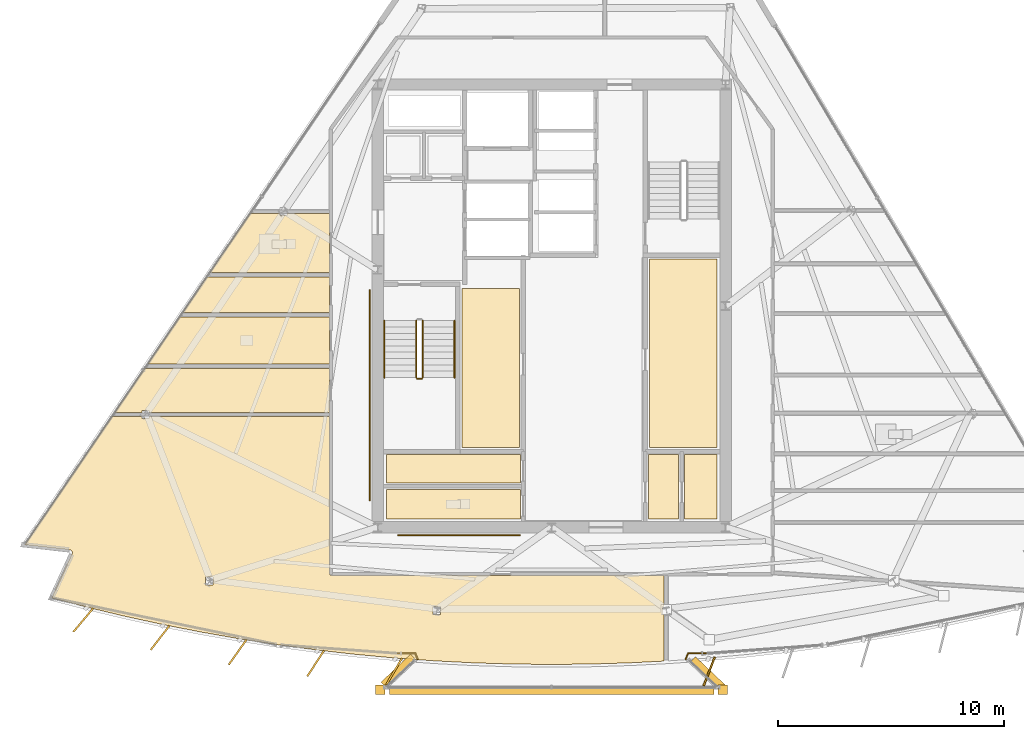
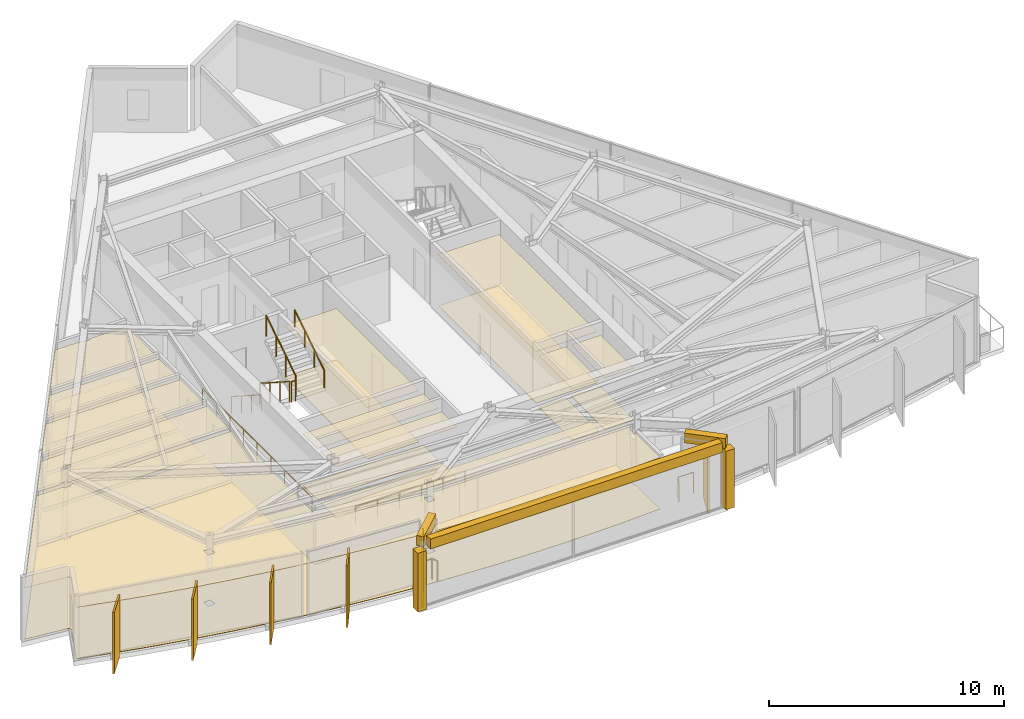
# One storey, part 10 of 13: 27 coverings, 9 railings, 6 shading devices.
"""IFC4 building model written with IfcOpenShell, lengths in metres."""

from ifc_helpers import new_model, si_unit, direction, frame, origin, origin_2d, place, context, subcontext, project, spatial, polyline, rectangle, circle, outline, extrude, material, layer, layer_set, type_object, element, save


model = new_model("IFC4")

# Units and contexts
model_context = context("Model", 3, precision=1e-05, world=origin(), true_north=direction((0.0, 1.0)))
body_context = subcontext(model_context, "Body", "Model", "MODEL_VIEW")
ifc_project = project(units=[si_unit("LENGTHUNIT", "METRE"), si_unit("AREAUNIT", "SQUARE_METRE"), si_unit("VOLUMEUNIT", "CUBIC_METRE"), si_unit("PLANEANGLEUNIT", "RADIAN"), si_unit("MASSUNIT", "GRAM", prefix="KILO")], contexts=[model_context])

# Site, building, storey
site_placement = place(None, origin())
site = spatial("IfcSite", under=ifc_project, at=site_placement, CompositionType="ELEMENT")
building_placement = place(site_placement, origin())
building = spatial("IfcBuilding", under=site, at=building_placement, Name="Savorim Split Tower", CompositionType="ELEMENT")
storey_placement = place(building_placement, frame((0.0, 0.0, 286.800048828125)))
storey = spatial("IfcBuildingStorey", under=building, at=storey_placement, Name="L76", CompositionType="ELEMENT", Elevation=286.800048828125)

# Coverings
ifc_material_1 = material(Name="Mineral Fibre Acoustic Ceiling")
ifc_layer_1 = layer(ifc_material_1, 0.02490234375)
ifc_layer_set_1 = layer_set([ifc_layer_1], Name="COV-CEIL-25")
covering_type_1 = type_object("IfcCoveringType", Name="COV-CEIL-25", PredefinedType="CEILING", material=ifc_layer_set_1)
covering_1_placement = place(storey_placement, frame((0.0, 0.0, 2.669921875)))
element("IfcCovering", 1, at=covering_1_placement, inside=storey, type_object=covering_type_1, Name="L76 Shared Pantry and Linen Room Acoustic Ceiling", PredefinedType="CEILING", context=body_context, shape_type="SweptSolid", body=[
    extrude(outline(polyline([(4.330078125, 2.469970703125), (4.330078125, -5.8701171875), (7.320068359375, -5.8701171875), (7.320068359375, 2.469970703125), (4.330078125, 2.469970703125)])), origin(), (0.0, 0.0, 1.0), 0.025146484375),
])
covering_2_placement = place(storey_placement, frame((0.0, 0.0, 2.669921875)))
element("IfcCovering", 2, at=covering_2_placement, inside=storey, type_object=covering_type_1, Name="L76 Housekeeping and Parcel Room Acoustic Ceiling", PredefinedType="CEILING", context=body_context, shape_type="SweptSolid", body=[
    extrude(outline(polyline([(-3.969970703125, 1.169921875), (-3.969970703125, -5.8701171875), (-1.429931640625, -5.8701171875), (-1.429931640625, 1.169921875), (-3.969970703125, 1.169921875)])), origin(), (0.0, 0.0, 1.0), 0.025146484375),
])
covering_3_placement = place(storey_placement, frame((0.0, 0.0, 2.669921875)))
element("IfcCovering", 3, at=covering_3_placement, inside=storey, type_object=covering_type_1, Name="L76 Cleaning Store Acoustic Ceiling", PredefinedType="CEILING", context=body_context, shape_type="SweptSolid", body=[
    extrude(outline(polyline([(-7.320068359375, -6.179931640625), (-7.320068359375, -7.43994140625), (-1.3798828125, -7.43994140625), (-1.3798828125, -6.179931640625), (-7.320068359375, -6.179931640625)])), origin(), (0.0, 0.0, 1.0), 0.025146484375),
])
covering_4_placement = place(storey_placement, frame((0.0, 0.0, 2.669921875)))
element("IfcCovering", 4, at=covering_4_placement, inside=storey, type_object=covering_type_1, Name="L76 Public WC Acoustic Ceiling", PredefinedType="CEILING", context=body_context, shape_type="SweptSolid", body=[
    extrude(outline(polyline([(-7.320068359375, -7.719970703125), (-7.320068359375, -9.02001953125), (-1.3798828125, -9.02001953125), (-1.3798828125, -7.719970703125), (-7.320068359375, -7.719970703125)])), origin(), (0.0, 0.0, 1.0), 0.025146484375),
])
covering_5_placement = place(storey_placement, frame((0.0, 0.0, 2.669921875)))
element("IfcCovering", 5, at=covering_5_placement, inside=storey, type_object=covering_type_1, Name="L76 Vending Pantry Acoustic Ceiling", PredefinedType="CEILING", context=body_context, shape_type="SweptSolid", body=[
    extrude(outline(polyline([(4.280029296875, -6.179931640625), (4.280029296875, -9.02001953125), (5.6201171875, -9.02001953125), (5.6201171875, -6.179931640625), (4.280029296875, -6.179931640625)])), origin(), (0.0, 0.0, 1.0), 0.025146484375),
])
covering_6_placement = place(storey_placement, frame((0.0, 0.0, 2.669921875)))
element("IfcCovering", 6, at=covering_6_placement, inside=storey, type_object=covering_type_1, Name="L76 Recycling Chute Room Acoustic Ceiling", PredefinedType="CEILING", context=body_context, shape_type="SweptSolid", body=[
    extrude(outline(polyline([(5.8798828125, -6.179931640625), (5.8798828125, -9.02001953125), (7.320068359375, -9.02001953125), (7.320068359375, -6.179931640625), (5.8798828125, -6.179931640625)])), origin(), (0.0, 0.0, 1.0), 0.025146484375),
])
covering_7_placement = place(storey_placement, frame((0.0, 0.0, 2.669921875)))
element("IfcCovering", 7, at=covering_7_placement, inside=storey, type_object=covering_type_1, Name="L76 Shared Kitchen Acoustic Ceiling", PredefinedType="CEILING", context=body_context, shape_type="SweptSolid", body=[
    extrude(outline(polyline([(-16.455810546875, -0.0830078125), (-17.878662109375, -2.1748046875), (-9.840087890625, -2.1748046875), (-9.840087890625, -0.0830078125), (-16.455810546875, -0.0830078125)])), origin(), (0.0, 0.0, 1.0), 0.025146484375),
])
covering_8_placement = place(storey_placement, frame((0.0, 0.0, 2.669921875)))
element("IfcCovering", 8, at=covering_8_placement, inside=storey, type_object=covering_type_1, Name="L76 Maker Workshop Acoustic Ceiling", PredefinedType="CEILING", context=body_context, shape_type="SweptSolid", body=[
    extrude(outline(polyline([(-17.811767578125, -4.230224609375), (-17.811767578125, -4.310302734375), (-9.840087890625, -4.310302734375), (-9.840087890625, -2.36474609375), (-18.0078125, -2.36474609375), (-19.331298828125, -4.310302734375), (-18.140625, -4.310302734375), (-18.140625, -4.230224609375), (-17.811767578125, -4.230224609375)])), origin(), (0.0, 0.0, 1.0), 0.025146484375),
])
covering_9_placement = place(storey_placement, frame((0.0, 0.0, 2.669921875)))
element("IfcCovering", 9, at=covering_9_placement, inside=storey, type_object=covering_type_1, Name="L76 Maker Workshop Acoustic Ceiling", PredefinedType="CEILING", context=body_context, shape_type="SweptSolid", body=[
    extrude(outline(polyline([(-21.21337890625, -10.5068359375), (-21.21337890625, -10.518798828125), (-21.214111328125, -10.530517578125), (-21.21630859375, -10.54248046875), (-21.2197265625, -10.5537109375), (-21.22412109375, -10.56494140625), (-22.125244140625, -12.526123046875), (-20.5859375, -12.9287109375), (-18.90087890625, -13.332763671875), (-17.2080078125, -13.7021484375), (-15.5078125, -14.036865234375), (-13.801025390625, -14.3369140625), (-12.088623046875, -14.601806640625), (-10.37109375, -14.83154296875), (-8.649169921875, -15.026123046875), (-6.923583984375, -15.185546875), (-5.1953125, -15.3095703125), (-3.46484375, -15.398193359375), (-1.732666015625, -15.451171875), (0.0, -15.468994140625), (1.732666015625, -15.451171875), (3.46484375, -15.398193359375), (4.98193359375, -15.3203125), (4.98193359375, -13.25), (4.91259765625, -13.25), (4.91259765625, -12.900146484375), (4.98193359375, -12.900146484375), (4.98193359375, -11.5400390625), (-9.699951171875, -11.5400390625), (-9.713623046875, -11.539306640625), (-9.727294921875, -11.537353515625), (-9.740478515625, -11.533935546875), (-9.753662109375, -11.529296875), (-9.76611328125, -11.5234375), (-9.77783203125, -11.516357421875), (-9.788818359375, -11.50830078125), (-9.799072265625, -11.4990234375), (-9.80810546875, -11.48876953125), (-9.81640625, -11.477783203125), (-9.823486328125, -11.466064453125), (-9.829345703125, -11.45361328125), (-9.833984375, -11.440673828125), (-9.83740234375, -11.42724609375), (-9.83935546875, -11.413818359375), (-9.840087890625, -11.39990234375), (-9.840087890625, -4.500244140625), (-17.811767578125, -4.500244140625), (-17.811767578125, -4.580078125), (-18.140625, -4.580078125), (-18.140625, -4.500244140625), (-19.335693359375, -4.500244140625), (-19.4306640625, -4.500244140625), (-19.4306640625, -4.4560546875), (-23.3193359375, -10.172119140625), (-21.31982421875, -10.3955078125), (-21.30810546875, -10.3974609375), (-21.296630859375, -10.400390625), (-21.285400390625, -10.40478515625), (-21.274658203125, -10.409912109375), (-21.2646484375, -10.41650390625), (-21.255126953125, -10.423583984375), (-21.24658203125, -10.431884765625), (-21.23876953125, -10.44091796875), (-21.231689453125, -10.45068359375), (-21.225830078125, -10.4609375), (-21.22119140625, -10.471923828125), (-21.21728515625, -10.4833984375), (-21.21484375, -10.494873046875), (-21.21337890625, -10.5068359375)]), holes=[polyline([(-15.312744140625, -11.95703125), (-14.983642578125, -11.95703125), (-14.983642578125, -11.60693359375), (-15.312744140625, -11.60693359375), (-15.312744140625, -11.95703125)]), polyline([(-5.241455078125, -13.25), (-4.91259765625, -13.25), (-4.91259765625, -12.900146484375), (-5.241455078125, -12.900146484375), (-5.241455078125, -13.25)])]), origin(), (0.0, 0.0, 1.0), 0.025146484375),
])
covering_10_placement = place(storey_placement, frame((0.0, 0.0, 2.669921875)))
element("IfcCovering", 10, at=covering_10_placement, inside=storey, type_object=covering_type_1, Name="L76 Shared Bathroom Acoustic Ceiling", PredefinedType="CEILING", context=body_context, shape_type="SweptSolid", body=[
    extrude(outline(polyline([(-12.031494140625, 4.48046875), (-13.226318359375, 4.48046875), (-13.3212890625, 4.48046875), (-13.3212890625, 4.524658203125), (-15.1240234375, 1.87451171875), (-9.840087890625, 1.87451171875), (-9.840087890625, 4.48046875), (-11.702392578125, 4.48046875), (-11.702392578125, 4.400390625), (-12.031494140625, 4.400390625), (-12.031494140625, 4.48046875)])), origin(), (0.0, 0.0, 1.0), 0.025146484375),
])
covering_11_placement = place(storey_placement, frame((0.0, 0.0, 2.669921875)))
element("IfcCovering", 11, at=covering_11_placement, inside=storey, type_object=covering_type_1, Name="L76 Co-Living Bedroom Acoustic Ceiling", PredefinedType="CEILING", context=body_context, shape_type="SweptSolid", body=[
    extrude(outline(polyline([(-15.25341796875, 1.6845703125), (-16.326416015625, 0.10693359375), (-9.840087890625, 0.10693359375), (-9.840087890625, 1.6845703125), (-15.25341796875, 1.6845703125)])), origin(), (0.0, 0.0, 1.0), 0.025146484375),
])
ifc_material_2 = material(Name="Porcelain Stoneware Flooring", Category="masonry")
ifc_layer_2 = layer(ifc_material_2, 0.02001953125)
ifc_layer_set_2 = layer_set([ifc_layer_2], Name="COV-FLOR-20")
covering_type_2 = type_object("IfcCoveringType", Name="COV-FLOR-20", PredefinedType="FLOORING", material=ifc_layer_set_2)
covering_12_placement = place(storey_placement, origin())
element("IfcCovering", 12, at=covering_12_placement, inside=storey, type_object=covering_type_2, Name="L76 Shared Pantry and Linen Room Porcelain Flooring", PredefinedType="FLOORING", context=body_context, shape_type="SweptSolid", body=[
    extrude(outline(polyline([(4.330078125, 2.469970703125), (4.330078125, -5.8701171875), (7.320068359375, -5.8701171875), (7.320068359375, 2.469970703125), (4.330078125, 2.469970703125)])), origin(), (0.0, 0.0, 1.0), 0.02001953125),
])
covering_13_placement = place(storey_placement, origin())
element("IfcCovering", 13, at=covering_13_placement, inside=storey, type_object=covering_type_2, Name="L76 Housekeeping and Parcel Room Porcelain Flooring", PredefinedType="FLOORING", context=body_context, shape_type="SweptSolid", body=[
    extrude(outline(polyline([(-3.969970703125, 1.169921875), (-3.969970703125, -5.8701171875), (-1.429931640625, -5.8701171875), (-1.429931640625, 1.169921875), (-3.969970703125, 1.169921875)])), origin(), (0.0, 0.0, 1.0), 0.02001953125),
])
covering_14_placement = place(storey_placement, origin())
element("IfcCovering", 14, at=covering_14_placement, inside=storey, type_object=covering_type_2, Name="L76 Cleaning Store Porcelain Flooring", PredefinedType="FLOORING", context=body_context, shape_type="SweptSolid", body=[
    extrude(outline(polyline([(-7.320068359375, -6.179931640625), (-7.320068359375, -7.43994140625), (-1.3798828125, -7.43994140625), (-1.3798828125, -6.179931640625), (-7.320068359375, -6.179931640625)])), origin(), (0.0, 0.0, 1.0), 0.02001953125),
])
covering_15_placement = place(storey_placement, origin())
element("IfcCovering", 15, at=covering_15_placement, inside=storey, type_object=covering_type_2, Name="L76 Public WC Porcelain Flooring", PredefinedType="FLOORING", context=body_context, shape_type="SweptSolid", body=[
    extrude(outline(polyline([(-7.320068359375, -7.719970703125), (-7.320068359375, -9.02001953125), (-1.3798828125, -9.02001953125), (-1.3798828125, -7.719970703125), (-7.320068359375, -7.719970703125)])), origin(), (0.0, 0.0, 1.0), 0.02001953125),
])
covering_16_placement = place(storey_placement, origin())
element("IfcCovering", 16, at=covering_16_placement, inside=storey, type_object=covering_type_2, Name="L76 Vending Pantry Porcelain Flooring", PredefinedType="FLOORING", context=body_context, shape_type="SweptSolid", body=[
    extrude(outline(polyline([(4.280029296875, -6.179931640625), (4.280029296875, -9.02001953125), (5.6201171875, -9.02001953125), (5.6201171875, -6.179931640625), (4.280029296875, -6.179931640625)])), origin(), (0.0, 0.0, 1.0), 0.02001953125),
])
covering_17_placement = place(storey_placement, origin())
element("IfcCovering", 17, at=covering_17_placement, inside=storey, type_object=covering_type_2, Name="L76 Recycling Chute Room Porcelain Flooring", PredefinedType="FLOORING", context=body_context, shape_type="SweptSolid", body=[
    extrude(outline(polyline([(5.8798828125, -6.179931640625), (5.8798828125, -9.02001953125), (7.320068359375, -9.02001953125), (7.320068359375, -6.179931640625), (5.8798828125, -6.179931640625)])), origin(), (0.0, 0.0, 1.0), 0.02001953125),
])
covering_18_placement = place(storey_placement, origin())
element("IfcCovering", 18, at=covering_18_placement, inside=storey, type_object=covering_type_2, Name="L76 Shared Kitchen Porcelain Flooring", PredefinedType="FLOORING", context=body_context, shape_type="SweptSolid", body=[
    extrude(outline(polyline([(-16.455810546875, -0.0830078125), (-17.878662109375, -2.1748046875), (-9.840087890625, -2.1748046875), (-9.840087890625, -0.0830078125), (-16.455810546875, -0.0830078125)])), origin(), (0.0, 0.0, 1.0), 0.02001953125),
])
covering_19_placement = place(storey_placement, origin())
element("IfcCovering", 19, at=covering_19_placement, inside=storey, type_object=covering_type_2, Name="L76 Maker Workshop Porcelain Flooring", PredefinedType="FLOORING", context=body_context, shape_type="SweptSolid", body=[
    extrude(outline(polyline([(-17.811767578125, -4.230224609375), (-17.811767578125, -4.310302734375), (-9.840087890625, -4.310302734375), (-9.840087890625, -2.36474609375), (-18.0078125, -2.36474609375), (-19.331298828125, -4.310302734375), (-18.140625, -4.310302734375), (-18.140625, -4.230224609375), (-17.811767578125, -4.230224609375)])), origin(), (0.0, 0.0, 1.0), 0.02001953125),
])
covering_20_placement = place(storey_placement, origin())
element("IfcCovering", 20, at=covering_20_placement, inside=storey, type_object=covering_type_2, Name="L76 Maker Workshop Porcelain Flooring", PredefinedType="FLOORING", context=body_context, shape_type="SweptSolid", body=[
    extrude(outline(polyline([(-21.21337890625, -10.5068359375), (-21.21337890625, -10.518798828125), (-21.214111328125, -10.530517578125), (-21.21630859375, -10.54248046875), (-21.2197265625, -10.5537109375), (-21.22412109375, -10.56494140625), (-22.125244140625, -12.526123046875), (-20.5859375, -12.9287109375), (-18.90087890625, -13.332763671875), (-17.2080078125, -13.7021484375), (-15.5078125, -14.036865234375), (-13.801025390625, -14.3369140625), (-12.088623046875, -14.601806640625), (-10.37109375, -14.83154296875), (-8.649169921875, -15.026123046875), (-6.923583984375, -15.185546875), (-5.1953125, -15.3095703125), (-3.46484375, -15.398193359375), (-1.732666015625, -15.451171875), (0.0, -15.468994140625), (1.732666015625, -15.451171875), (3.46484375, -15.398193359375), (4.98193359375, -15.3203125), (4.98193359375, -13.25), (4.91259765625, -13.25), (4.91259765625, -12.900146484375), (4.98193359375, -12.900146484375), (4.98193359375, -11.5400390625), (-9.699951171875, -11.5400390625), (-9.713623046875, -11.539306640625), (-9.727294921875, -11.537353515625), (-9.740478515625, -11.533935546875), (-9.753662109375, -11.529296875), (-9.76611328125, -11.5234375), (-9.77783203125, -11.516357421875), (-9.788818359375, -11.50830078125), (-9.799072265625, -11.4990234375), (-9.80810546875, -11.48876953125), (-9.81640625, -11.477783203125), (-9.823486328125, -11.466064453125), (-9.829345703125, -11.45361328125), (-9.833984375, -11.440673828125), (-9.83740234375, -11.42724609375), (-9.83935546875, -11.413818359375), (-9.840087890625, -11.39990234375), (-9.840087890625, -4.500244140625), (-17.811767578125, -4.500244140625), (-17.811767578125, -4.580078125), (-18.140625, -4.580078125), (-18.140625, -4.500244140625), (-19.335693359375, -4.500244140625), (-19.4306640625, -4.500244140625), (-19.4306640625, -4.4560546875), (-23.3193359375, -10.172119140625), (-21.31982421875, -10.3955078125), (-21.30810546875, -10.3974609375), (-21.296630859375, -10.400390625), (-21.285400390625, -10.40478515625), (-21.274658203125, -10.409912109375), (-21.2646484375, -10.41650390625), (-21.255126953125, -10.423583984375), (-21.24658203125, -10.431884765625), (-21.23876953125, -10.44091796875), (-21.231689453125, -10.45068359375), (-21.225830078125, -10.4609375), (-21.22119140625, -10.471923828125), (-21.21728515625, -10.4833984375), (-21.21484375, -10.494873046875), (-21.21337890625, -10.5068359375)]), holes=[polyline([(-15.312744140625, -11.95703125), (-14.983642578125, -11.95703125), (-14.983642578125, -11.60693359375), (-15.312744140625, -11.60693359375), (-15.312744140625, -11.95703125)]), polyline([(-5.241455078125, -13.25), (-4.91259765625, -13.25), (-4.91259765625, -12.900146484375), (-5.241455078125, -12.900146484375), (-5.241455078125, -13.25)])]), origin(), (0.0, 0.0, 1.0), 0.02001953125),
])
covering_21_placement = place(storey_placement, origin())
element("IfcCovering", 21, at=covering_21_placement, inside=storey, type_object=covering_type_2, Name="L76 Shared Bathroom Porcelain Flooring", PredefinedType="FLOORING", context=body_context, shape_type="SweptSolid", body=[
    extrude(outline(polyline([(-12.031494140625, 4.48046875), (-13.226318359375, 4.48046875), (-13.3212890625, 4.48046875), (-13.3212890625, 4.524658203125), (-15.1240234375, 1.87451171875), (-9.840087890625, 1.87451171875), (-9.840087890625, 4.48046875), (-11.702392578125, 4.48046875), (-11.702392578125, 4.400390625), (-12.031494140625, 4.400390625), (-12.031494140625, 4.48046875)])), origin(), (0.0, 0.0, 1.0), 0.02001953125),
])
covering_22_placement = place(storey_placement, origin())
element("IfcCovering", 22, at=covering_22_placement, inside=storey, type_object=covering_type_2, Name="L76 Co-Living Bedroom Porcelain Flooring", PredefinedType="FLOORING", context=body_context, shape_type="SweptSolid", body=[
    extrude(outline(polyline([(-15.25341796875, 1.6845703125), (-16.326416015625, 0.10693359375), (-9.840087890625, 0.10693359375), (-9.840087890625, 1.6845703125), (-15.25341796875, 1.6845703125)])), origin(), (0.0, 0.0, 1.0), 0.02001953125),
])
ifc_material_3 = material(Name="White Porcelain Architectural Cladding")
ifc_layer_3 = layer(ifc_material_3, 0.139892578125)
ifc_layer_set_3 = layer_set([ifc_layer_3], Name="COV-FRM-WHITE")
covering_type_3 = type_object("IfcCoveringType", Name="COV-FRM-WHITE", PredefinedType="CLADDING", material=ifc_layer_set_3)
covering_23_placement = place(storey_placement, frame((0.0, 0.0, 3.079833984375)))
element("IfcCovering", 23, at=covering_23_placement, inside=storey, type_object=covering_type_3, Name="L76 Cantilevered Lounge White Upper Cornice Band W", PredefinedType="CLADDING", context=body_context, shape_type="SweptSolid", body=[
    extrude(outline(polyline([(-6.2490234375, -15.016845703125), (-7.5556640625, -16.254638671875), (-7.322021484375, -16.50146484375), (-6.01513671875, -15.263671875), (-6.2490234375, -15.016845703125)])), origin(), (0.0, 0.0, 1.0), 0.510009765625),
])
covering_24_placement = place(storey_placement, frame((0.0, 0.0, 3.079833984375)))
element("IfcCovering", 24, at=covering_24_placement, inside=storey, type_object=covering_type_3, Name="L76 Cantilevered Lounge White Upper Cornice Band F", PredefinedType="CLADDING", context=body_context, shape_type="SweptSolid", body=[
    extrude(outline(polyline([(-7.1787109375, -16.799560546875), (7.1787109375, -16.799560546875), (7.1787109375, -16.45947265625), (-7.1787109375, -16.45947265625), (-7.1787109375, -16.799560546875)])), origin(), (0.0, 0.0, 1.0), 0.510009765625),
])
covering_25_placement = place(storey_placement, frame((0.0, 0.0, 3.079833984375)))
element("IfcCovering", 25, at=covering_25_placement, inside=storey, type_object=covering_type_3, Name="L76 Cantilevered Lounge White Upper Cornice Band E", PredefinedType="CLADDING", context=body_context, shape_type="SweptSolid", body=[
    extrude(outline(polyline([(7.671875, -16.36474609375), (6.364990234375, -15.126953125), (6.13134765625, -15.373779296875), (7.43798828125, -16.611572265625), (7.671875, -16.36474609375)])), origin(), (0.0, 0.0, 1.0), 0.510009765625),
])
covering_26_placement = place(storey_placement, frame((0.0, 0.0, 0.010009765625)))
element("IfcCovering", 26, at=covering_26_placement, inside=storey, type_object=covering_type_3, Name="L76 Cantilevered Lounge White Frame Corner Post 1", PredefinedType="CLADDING", context=body_context, shape_type="SweptSolid", body=[
    extrude(outline(polyline([(-7.78857421875, -16.78955078125), (-7.36865234375, -16.78955078125), (-7.36865234375, -16.369384765625), (-7.78857421875, -16.369384765625), (-7.78857421875, -16.78955078125)])), origin(), (0.0, 0.0, 1.0), 3.050048828125),
])
covering_27_placement = place(storey_placement, frame((0.0, 0.0, 0.010009765625)))
element("IfcCovering", 27, at=covering_27_placement, inside=storey, type_object=covering_type_3, Name="L76 Cantilevered Lounge White Frame Corner Post 2", PredefinedType="CLADDING", context=body_context, shape_type="SweptSolid", body=[
    extrude(outline(polyline([(7.36865234375, -16.78955078125), (7.78857421875, -16.78955078125), (7.78857421875, -16.369384765625), (7.36865234375, -16.369384765625), (7.36865234375, -16.78955078125)])), origin(), (0.0, 0.0, 1.0), 3.050048828125),
])

# Railings
ifc_material_4 = material(Name="Galvanised Painted Steel Balustrade", Category="steel")
railing_type_1 = type_object("IfcRailingType", Name="RLG-BAL-1100", PredefinedType="BALUSTRADE", material=ifc_material_4)
railing_1_placement = place(storey_placement, frame((-6.819580078125, -14.971435546875, 0.0)))
element("IfcRailing", 28, at=railing_1_placement, inside=storey, type_object=railing_type_1, Name="L76 Cantilevered Lounge West Edge Closure Guard", PredefinedType="BALUSTRADE", context=body_context, shape_type="SweptSolid", body=[
    extrude(circle(Radius=0.02392578125, at=origin_2d()), frame((0.0, 0.0, 1.076171875), z_axis=(1.0, 0.0, 0.0), x_axis=(0.0, 1.0, 0.0)), (0.0, 0.0, 1.0), 0.780029296875),
    extrude(circle(Radius=0.02392578125, at=origin_2d()), frame((0.780029296875, 0.0, 1.076171875), z_axis=(0.370122497849, -0.928982958178, 0.0), x_axis=(0.928982958178, 0.370122497849, 0.0)), (0.0, 0.0, 1.0), 0.298828125),
    extrude(circle(Radius=0.02099609375, at=origin_2d()), origin(), (0.0, 0.0, 1.0), 1.052001953125),
    extrude(circle(Radius=0.02099609375, at=origin_2d()), frame((0.780029296875, 0.0, 0.0)), (0.0, 0.0, 1.0), 1.052001953125),
    extrude(circle(Radius=0.02099609375, at=origin_2d()), frame((0.890625, -0.277587890625, 0.0)), (0.0, 0.0, 1.0), 1.052001953125),
])
railing_2_placement = place(storey_placement, frame((5.928955078125, -15.2490234375, 0.0)))
element("IfcRailing", 29, at=railing_2_placement, inside=storey, type_object=railing_type_1, Name="L76 Cantilevered Lounge East Edge Closure Guard", PredefinedType="BALUSTRADE", context=body_context, shape_type="SweptSolid", body=[
    extrude(circle(Radius=0.02392578125, at=origin_2d()), frame((0.0, 0.0, 1.076171875), z_axis=(0.370122497849, 0.928982958178, 0.0), x_axis=(-0.928982958178, 0.370122497849, 0.0)), (0.0, 0.0, 1.0), 0.298828125),
    extrude(circle(Radius=0.02392578125, at=origin_2d()), frame((0.110595703125, 0.277587890625, 1.076171875), z_axis=(1.0, 0.0, 0.0), x_axis=(0.0, 1.0, 0.0)), (0.0, 0.0, 1.0), 0.780029296875),
    extrude(circle(Radius=0.02099609375, at=origin_2d()), origin(), (0.0, 0.0, 1.0), 1.052001953125),
    extrude(circle(Radius=0.02099609375, at=origin_2d()), frame((0.110595703125, 0.277587890625, 0.0)), (0.0, 0.0, 1.0), 1.052001953125),
    extrude(circle(Radius=0.02099609375, at=origin_2d()), frame((0.890625, 0.277587890625, 0.0)), (0.0, 0.0, 1.0), 1.052001953125),
])
railing_type_2 = type_object("IfcRailingType", Name="RLG-HR-900", PredefinedType="HANDRAIL", material=ifc_material_4)
railing_3_placement = place(storey_placement, frame((-7.39990234375, -0.25, 0.179931640625)))
element("IfcRailing", 30, at=railing_3_placement, inside=storey, type_object=railing_type_2, Name="L76 ST-1 stair handrail 1", PredefinedType="HANDRAIL", context=body_context, shape_type="SweptSolid", body=[
    extrude(circle(Radius=0.02392578125, at=origin_2d()), frame((0.0, 0.0, 0.8759765625), z_axis=(0.0, -0.841162588446, 0.540782303519), x_axis=(1.0, 0.0, 0.0)), (0.0, 0.0, 1.0), 2.995849609375),
    extrude(circle(Radius=0.02099609375, at=origin_2d()), origin(), (0.0, 0.0, 1.0), 0.851806640625),
    extrude(circle(Radius=0.02099609375, at=origin_2d()), frame((0.0, -0.840087890625, 0.5400390625)), (0.0, 0.0, 1.0), 0.851806640625),
    extrude(circle(Radius=0.02099609375, at=origin_2d()), frame((0.0, -1.679931640625, 1.080078125)), (0.0, 0.0, 1.0), 0.851806640625),
    extrude(circle(Radius=0.02099609375, at=origin_2d()), frame((0.0, -2.52001953125, 1.6201171875)), (0.0, 0.0, 1.0), 0.851806640625),
])
railing_4_placement = place(storey_placement, frame((-4.300048828125, -2.77001953125, 1.97998046875)))
element("IfcRailing", 31, at=railing_4_placement, inside=storey, type_object=railing_type_2, Name="L76 ST-1 stair handrail 2", PredefinedType="HANDRAIL", context=body_context, shape_type="SweptSolid", body=[
    extrude(circle(Radius=0.02392578125, at=origin_2d()), frame((0.0, 0.0, 0.8759765625), z_axis=(0.0, 0.841199657755, 0.540724639528), x_axis=(-1.0, 0.0, 0.0)), (0.0, 0.0, 1.0), 2.995849609375),
    extrude(circle(Radius=0.02099609375, at=origin_2d()), origin(), (0.0, 0.0, 1.0), 0.851806640625),
    extrude(circle(Radius=0.02099609375, at=origin_2d()), frame((0.0, 0.840087890625, 0.5400390625)), (0.0, 0.0, 1.0), 0.851806640625),
    extrude(circle(Radius=0.02099609375, at=origin_2d()), frame((0.0, 1.679931640625, 1.079833984375)), (0.0, 0.0, 1.0), 0.851806640625),
    extrude(circle(Radius=0.02099609375, at=origin_2d()), frame((0.0, 2.52001953125, 1.619873046875)), (0.0, 0.0, 1.0), 0.851806640625),
])
railing_5_placement = place(storey_placement, frame((-6.800048828125, -9.75, 0.0)))
element("IfcRailing", 32, at=railing_5_placement, inside=storey, type_object=railing_type_2, Name="L76 Corridor South Accessible Handrail", PredefinedType="HANDRAIL", context=body_context, shape_type="SweptSolid", body=[
    extrude(circle(Radius=0.02392578125, at=origin_2d()), frame((0.0, 0.0, 0.8759765625), z_axis=(1.0, 0.0, 0.0), x_axis=(0.0, 1.0, 0.0)), (0.0, 0.0, 1.0), 5.400146484375),
    extrude(circle(Radius=0.02099609375, at=origin_2d()), origin(), (0.0, 0.0, 1.0), 0.851806640625),
    extrude(circle(Radius=0.02099609375, at=origin_2d()), frame((1.080078125, 0.0, 0.0)), (0.0, 0.0, 1.0), 0.851806640625),
    extrude(circle(Radius=0.02099609375, at=origin_2d()), frame((2.16015625, 0.0, 0.0)), (0.0, 0.0, 1.0), 0.851806640625),
    extrude(circle(Radius=0.02099609375, at=origin_2d()), frame((3.239990234375, 0.0, 0.0)), (0.0, 0.0, 1.0), 0.851806640625),
    extrude(circle(Radius=0.02099609375, at=origin_2d()), frame((4.320068359375, 0.0, 0.0)), (0.0, 0.0, 1.0), 0.851806640625),
    extrude(circle(Radius=0.02099609375, at=origin_2d()), frame((5.400146484375, 0.0, 0.0)), (0.0, 0.0, 1.0), 0.851806640625),
])
railing_6_placement = place(storey_placement, frame((-8.050048828125, -8.199951171875, 0.0)))
element("IfcRailing", 33, at=railing_6_placement, inside=storey, type_object=railing_type_2, Name="L76 Corridor West Accessible Handrail", PredefinedType="HANDRAIL", context=body_context, shape_type="SweptSolid", body=[
    extrude(circle(Radius=0.02392578125, at=origin_2d()), frame((0.0, 0.0, 0.8759765625), z_axis=(0.0, 1.0, 0.0), x_axis=(-1.0, 0.0, 0.0)), (0.0, 0.0, 1.0), 9.300048828125),
    extrude(circle(Radius=0.02099609375, at=origin_2d()), origin(), (0.0, 0.0, 1.0), 0.851806640625),
    extrude(circle(Radius=0.02099609375, at=origin_2d()), frame((0.0, 1.16259765625, 0.0)), (0.0, 0.0, 1.0), 0.851806640625),
    extrude(circle(Radius=0.02099609375, at=origin_2d()), frame((0.0, 2.324951171875, 0.0)), (0.0, 0.0, 1.0), 0.851806640625),
    extrude(circle(Radius=0.02099609375, at=origin_2d()), frame((0.0, 3.487548828125, 0.0)), (0.0, 0.0, 1.0), 0.851806640625),
    extrude(circle(Radius=0.02099609375, at=origin_2d()), frame((0.0, 4.64990234375, 0.0)), (0.0, 0.0, 1.0), 0.851806640625),
    extrude(circle(Radius=0.02099609375, at=origin_2d()), frame((0.0, 5.8125, 0.0)), (0.0, 0.0, 1.0), 0.851806640625),
    extrude(circle(Radius=0.02099609375, at=origin_2d()), frame((0.0, 6.97509765625, 0.0)), (0.0, 0.0, 1.0), 0.851806640625),
    extrude(circle(Radius=0.02099609375, at=origin_2d()), frame((0.0, 8.137451171875, 0.0)), (0.0, 0.0, 1.0), 0.851806640625),
    extrude(circle(Radius=0.02099609375, at=origin_2d()), frame((0.0, 9.300048828125, 0.0)), (0.0, 0.0, 1.0), 0.851806640625),
])
railing_type_3 = type_object("IfcRailingType", Name="RLG-STG-1100", PredefinedType="BALUSTRADE", material=ifc_material_4)
railing_7_placement = place(storey_placement, frame((-6.0, -0.25, 0.179931640625)))
element("IfcRailing", 34, at=railing_7_placement, inside=storey, type_object=railing_type_3, Name="L76 ST-1 stair guard 1", PredefinedType="BALUSTRADE", context=body_context, shape_type="SweptSolid", body=[
    extrude(circle(Radius=0.02392578125, at=origin_2d()), frame((0.0, 0.0, 1.076171875), z_axis=(0.0, -0.841162588446, 0.540782303519), x_axis=(1.0, 0.0, 0.0)), (0.0, 0.0, 1.0), 2.995849609375),
    extrude(circle(Radius=0.02099609375, at=origin_2d()), origin(), (0.0, 0.0, 1.0), 1.052001953125),
    extrude(circle(Radius=0.02099609375, at=origin_2d()), frame((0.0, -0.840087890625, 0.5400390625)), (0.0, 0.0, 1.0), 1.052001953125),
    extrude(circle(Radius=0.02099609375, at=origin_2d()), frame((0.0, -1.679931640625, 1.080078125)), (0.0, 0.0, 1.0), 1.052001953125),
    extrude(circle(Radius=0.02099609375, at=origin_2d()), frame((0.0, -2.52001953125, 1.6201171875)), (0.0, 0.0, 1.0), 1.052001953125),
])
railing_8_placement = place(storey_placement, frame((-5.949951171875, -2.820068359375, 1.800048828125)))
element("IfcRailing", 35, at=railing_8_placement, inside=storey, type_object=railing_type_3, Name="L76 ST-1 stair guard 2", PredefinedType="BALUSTRADE", context=body_context, shape_type="SweptSolid", body=[
    extrude(circle(Radius=0.02392578125, at=origin_2d()), frame((0.0, 0.0, 1.076171875), z_axis=(1.0, 0.0, 0.0), x_axis=(0.0, 1.0, 0.0)), (0.0, 0.0, 1.0), 0.199951171875),
    extrude(circle(Radius=0.02099609375, at=origin_2d()), origin(), (0.0, 0.0, 1.0), 1.052001953125),
    extrude(circle(Radius=0.02099609375, at=origin_2d()), frame((0.199951171875, 0.0, 0.0)), (0.0, 0.0, 1.0), 1.052001953125),
])
railing_9_placement = place(storey_placement, frame((-5.699951171875, -2.77001953125, 1.97998046875)))
element("IfcRailing", 36, at=railing_9_placement, inside=storey, type_object=railing_type_3, Name="L76 ST-1 stair guard 3", PredefinedType="BALUSTRADE", context=body_context, shape_type="SweptSolid", body=[
    extrude(circle(Radius=0.02392578125, at=origin_2d()), frame((0.0, 0.0, 1.076171875), z_axis=(0.0, 0.841199657755, 0.540724639528), x_axis=(-1.0, 0.0, 0.0)), (0.0, 0.0, 1.0), 2.995849609375),
    extrude(circle(Radius=0.02099609375, at=origin_2d()), origin(), (0.0, 0.0, 1.0), 1.052001953125),
    extrude(circle(Radius=0.02099609375, at=origin_2d()), frame((0.0, 0.840087890625, 0.5400390625)), (0.0, 0.0, 1.0), 1.052001953125),
    extrude(circle(Radius=0.02099609375, at=origin_2d()), frame((0.0, 1.679931640625, 1.079833984375)), (0.0, 0.0, 1.0), 1.052001953125),
    extrude(circle(Radius=0.02099609375, at=origin_2d()), frame((0.0, 2.52001953125, 1.619873046875)), (0.0, 0.0, 1.0), 1.052001953125),
])

# Shading devices
ifc_material_5 = material(Name="Terracotta Ceramic-Coated Aluminium Fin", Category="masonry")
shading_device_type = type_object("IfcShadingDeviceType", Name="SHD-FIN-1360", PredefinedType="USERDEFINED", material=ifc_material_5)
for number, where, z_axis, x_axis, name in (
    (37, (-20.73095703125, -13.5068359375, -0.2001953125), (0.0, 0.0, 1.0), (-0.643719022682, -0.765261928909, 0.0), "L76 Sawtooth Shading Fin 01"),
    (38, (-17.3291015625, -14.28564453125, -0.2001953125), (0.0, 0.0, 1.0), (-0.611868076908, -0.790959832394, 0.0), "L76 Sawtooth Shading Fin 02"),
    (39, (-13.898193359375, -14.9248046875, -0.2001953125), (0.0, 0.0, 1.0), (-0.578993757737, -0.815331974414, 0.0), "L76 Sawtooth Shading Fin 03"),
    (40, (-10.444091796875, -15.423095703125, -0.2001953125), (0.0, 0.0, 1.0), (-0.545148321708, -0.838339613366, 0.0), "L76 Sawtooth Shading Fin 04"),
    (41, (-6.972412109375, -15.779541015625, -0.2001953125), (0.0, 0.0, 1.0), (-0.510391336723, -0.859942255851, 0.0), "L76 Sawtooth Shading Fin 05"),
    (42, (6.972412109375, -15.779541015625, -0.2001953125), (0.0, 0.0, 1.0), (-0.363415461732, -0.931627179817, 0.0), "L76 Sawtooth Shading Fin 09"),
):
    element("IfcShadingDevice", number, at=place(storey_placement, frame(where, z_axis=z_axis, x_axis=x_axis)), inside=storey, type_object=shading_device_type, Name=name, ObjectType="FIN", PredefinedType="USERDEFINED", context=body_context, shape_type="SweptSolid", body=[
        extrude(rectangle(XDim=1.360107421875, YDim=0.080078125, at=origin_2d()), origin(), (0.0, 0.0, 1.0), 3.199951171875),
    ])

save(model, "model.ifc")
